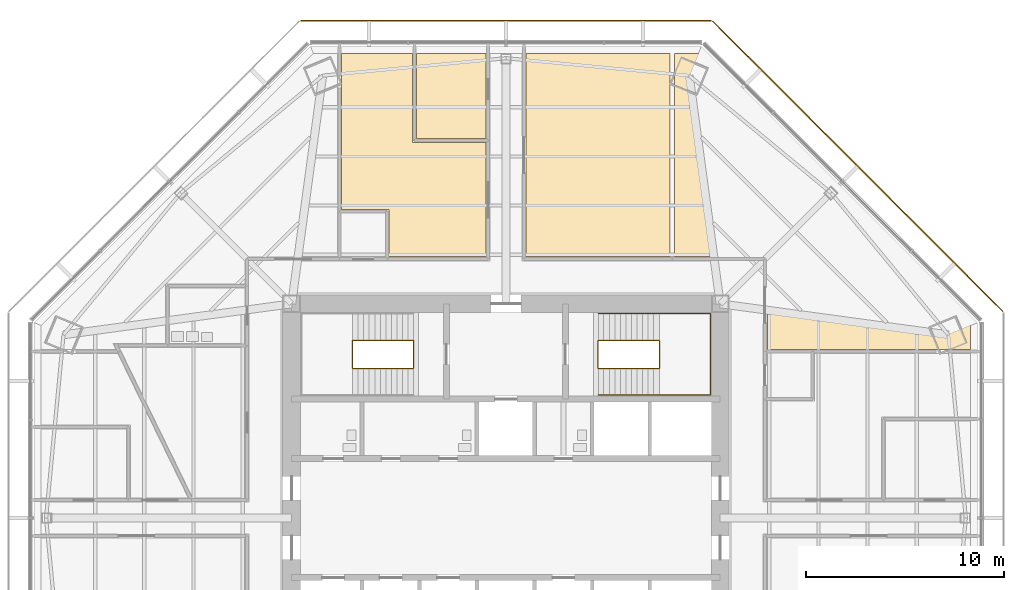
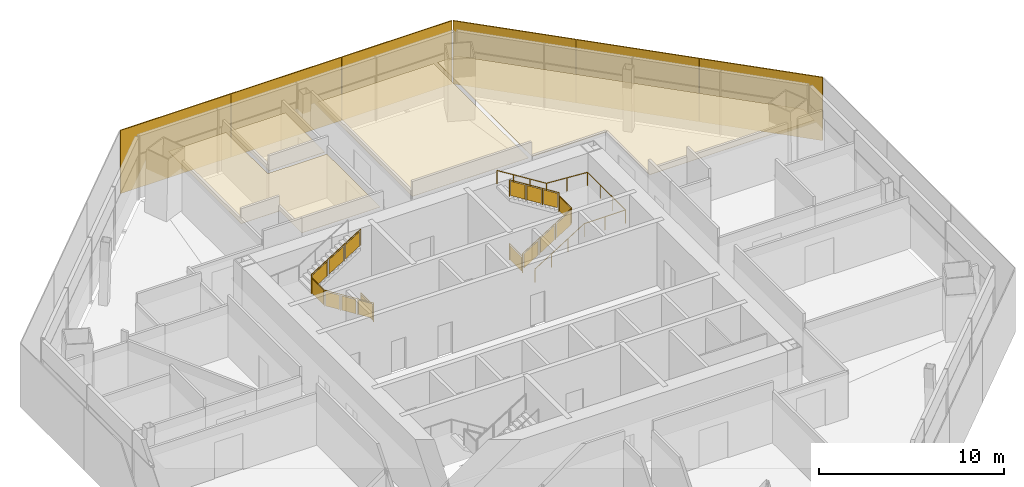
# One storey, part 13 of 14: 6 shading devices, 4 coverings, 3 railings.
"""IFC4 building model written with IfcOpenShell, lengths in metres."""

from ifc_helpers import new_model, si_unit, direction, frame, origin, origin_2d, place, context, subcontext, project, spatial, polyline, rectangle, circle, outline, extrude, source, transform, mapped, material, layer, layer_set, type_object, type_shapes, element, save


model = new_model("IFC4")

# Units and contexts
model_context = context("Model", 3, precision=1e-05, world=origin(), true_north=direction((0.0, 1.0)))
body_context = subcontext(model_context, "Body", "Model", "MODEL_VIEW")
ifc_project = project(units=[si_unit("LENGTHUNIT", "METRE"), si_unit("AREAUNIT", "SQUARE_METRE"), si_unit("VOLUMEUNIT", "CUBIC_METRE"), si_unit("PLANEANGLEUNIT", "RADIAN"), si_unit("MASSUNIT", "GRAM", prefix="KILO")], contexts=[model_context])

# Site, building, storey
site_placement = place(None, origin())
site = spatial("IfcSite", under=ifc_project, at=site_placement, CompositionType="ELEMENT")
building_placement = place(site_placement, origin())
building = spatial("IfcBuilding", under=site, at=building_placement, Name="Mashrafa Tower", CompositionType="ELEMENT")
storey_placement = place(building_placement, frame((0.0, 0.0, 142.800048828125)))
storey = spatial("IfcBuildingStorey", under=building, at=storey_placement, Name="L32", CompositionType="ELEMENT", Elevation=142.800048828125)

# Railings
ifc_material_1 = material(Name="Steel guard with glass infill", Category="steel")
railing_type_1 = type_object("IfcRailingType", Name="Stair guard 1100", PredefinedType="GUARDRAIL", material=ifc_material_1)
railing_1_placement = place(storey_placement, frame((-4.64990234375, 8.949951171875, 0.0)))
element("IfcRailing", 1, at=railing_1_placement, inside=storey, type_object=railing_type_1, Name="Stair S1 guard L32", PredefinedType="GUARDRAIL", context=body_context, shape_type="SweptSolid", body=[
    extrude(circle(Radius=0.02392578125, at=origin_2d()), frame((0.0, 0.0, 1.076171875), z_axis=(0.0, -1.0, 0.0), x_axis=(1.0, 0.0, 0.0)), (0.0, 0.0, 1.0), 1.39990234375),
    extrude(circle(Radius=0.02392578125, at=origin_2d()), frame((0.0, -1.39990234375, 1.076171875), z_axis=(0.0, 0.0, 1.0), x_axis=(1.0, 0.0, 0.0)), (0.0, 0.0, 1.0), 0.175048828125),
    extrude(circle(Radius=0.02392578125, at=origin_2d()), frame((0.0, -1.39990234375, 1.2509765625), z_axis=(-0.848028513186, 0.0, 0.529950602248), x_axis=(0.0, -1.0, 0.0)), (0.0, 0.0, 1.0), 3.632080078125),
    extrude(circle(Radius=0.02392578125, at=origin_2d()), frame((-3.080078125, -1.39990234375, 3.17578125), z_axis=(0.0, 1.0, 0.0), x_axis=(-1.0, 0.0, 0.0)), (0.0, 0.0, 1.0), 1.39990234375),
    extrude(circle(Radius=0.02392578125, at=origin_2d()), frame((-3.080078125, 0.0, 3.17578125), z_axis=(0.0, 0.0, 1.0), x_axis=(1.0, 0.0, 0.0)), (0.0, 0.0, 1.0), 0.175048828125),
    extrude(circle(Radius=0.02392578125, at=origin_2d()), frame((-3.080078125, 0.0, 3.35107421875), z_axis=(0.847998304005, 0.0, 0.529998940003), x_axis=(0.0, 1.0, 0.0)), (0.0, 0.0, 1.0), 3.632080078125),
    extrude(circle(Radius=0.02099609375, at=origin_2d()), origin(), (0.0, 0.0, 1.0), 1.052001953125),
    extrude(circle(Radius=0.02099609375, at=origin_2d()), frame((0.0, -1.39990234375, 0.0)), (0.0, 0.0, 1.0), 1.052001953125),
    extrude(circle(Radius=0.02099609375, at=origin_2d()), frame((0.0, -1.39990234375, 0.175048828125)), (0.0, 0.0, 1.0), 1.052001953125),
    extrude(circle(Radius=0.02099609375, at=origin_2d()), frame((-1.026611328125, -1.39990234375, 0.816650390625)), (0.0, 0.0, 1.0), 1.052001953125),
    extrude(circle(Radius=0.02099609375, at=origin_2d()), frame((-2.053466796875, -1.39990234375, 1.458251953125)), (0.0, 0.0, 1.0), 1.052001953125),
    extrude(circle(Radius=0.02099609375, at=origin_2d()), frame((-3.080078125, -1.39990234375, 2.099853515625)), (0.0, 0.0, 1.0), 1.052001953125),
    extrude(circle(Radius=0.02099609375, at=origin_2d()), frame((-3.080078125, 0.0, 2.099853515625)), (0.0, 0.0, 1.0), 1.052001953125),
    extrude(circle(Radius=0.02099609375, at=origin_2d()), frame((-3.080078125, 0.0, 2.27490234375)), (0.0, 0.0, 1.0), 1.052001953125),
    extrude(circle(Radius=0.02099609375, at=origin_2d()), frame((-2.053466796875, 0.0, 2.91650390625)), (0.0, 0.0, 1.0), 1.052001953125),
    extrude(circle(Radius=0.02099609375, at=origin_2d()), frame((-1.026611328125, 0.0, 3.558349609375)), (0.0, 0.0, 1.0), 1.052001953125),
    extrude(circle(Radius=0.02099609375, at=origin_2d()), frame((0.0, 0.0, 4.199951171875)), (0.0, 0.0, 1.0), 1.052001953125),
    extrude(outline(polyline([(0.071044921875, 0.050048828125), (1.328857421875, 0.050048828125), (1.328857421875, 1.001953125), (0.071044921875, 1.001953125), (0.071044921875, 0.050048828125)])), frame((-0.006103515625, 0.0, 0.0), z_axis=(-1.0, 0.0, 0.0), x_axis=(0.0, -1.0, 0.0)), (0.0, 0.0, 1.0), 0.011962890625),
    extrude(outline(polyline([(0.071044921875, 0.094482421875), (0.955810546875, 0.647216796875), (0.955810546875, 1.59912109375), (0.071044921875, 1.04638671875), (0.071044921875, 0.094482421875)])), frame((0.0, -1.393798828125, 0.175048828125), z_axis=(0.0, 1.0, 0.0), x_axis=(-1.0, 0.0, 0.0)), (0.0, 0.0, 1.0), 0.011962890625),
    extrude(outline(polyline([(1.09765625, 0.736083984375), (1.982421875, 1.288818359375), (1.982421875, 2.24072265625), (1.09765625, 1.68798828125), (1.09765625, 0.736083984375)])), frame((0.0, -1.393798828125, 0.175048828125), z_axis=(0.0, 1.0, 0.0), x_axis=(-1.0, 0.0, 0.0)), (0.0, 0.0, 1.0), 0.011962890625),
    extrude(outline(polyline([(2.124267578125, 1.377685546875), (3.009033203125, 1.930419921875), (3.009033203125, 2.88232421875), (2.124267578125, 2.32958984375), (2.124267578125, 1.377685546875)])), frame((0.0, -1.393798828125, 0.175048828125), z_axis=(0.0, 1.0, 0.0), x_axis=(-1.0, 0.0, 0.0)), (0.0, 0.0, 1.0), 0.011962890625),
    extrude(outline(polyline([(0.071044921875, 0.050048828125), (1.328857421875, 0.050048828125), (1.328857421875, 1.001953125), (0.071044921875, 1.001953125), (0.071044921875, 0.050048828125)])), frame((-3.073974609375, -1.39990234375, 2.099853515625), z_axis=(1.0, 0.0, 0.0), x_axis=(0.0, 1.0, 0.0)), (0.0, 0.0, 1.0), 0.011962890625),
    extrude(outline(polyline([(0.071044921875, 0.094482421875), (0.955810546875, 0.647216796875), (0.955810546875, 1.599365234375), (0.071044921875, 1.04638671875), (0.071044921875, 0.094482421875)])), frame((-3.080078125, -0.006103515625, 2.27490234375), z_axis=(0.0, -1.0, 0.0), x_axis=(1.0, 0.0, 0.0)), (0.0, 0.0, 1.0), 0.011962890625),
    extrude(outline(polyline([(1.09765625, 0.736083984375), (1.982421875, 1.2890625), (1.982421875, 2.240966796875), (1.09765625, 1.68798828125), (1.09765625, 0.736083984375)])), frame((-3.080078125, -0.006103515625, 2.27490234375), z_axis=(0.0, -1.0, 0.0), x_axis=(1.0, 0.0, 0.0)), (0.0, 0.0, 1.0), 0.011962890625),
    extrude(outline(polyline([(2.124267578125, 1.377685546875), (3.009033203125, 1.9306640625), (3.009033203125, 2.882568359375), (2.124267578125, 2.329833984375), (2.124267578125, 1.377685546875)])), frame((-3.080078125, -0.006103515625, 2.27490234375), z_axis=(0.0, -1.0, 0.0), x_axis=(1.0, 0.0, 0.0)), (0.0, 0.0, 1.0), 0.011962890625),
])
railing_2_placement = place(storey_placement, frame((4.64990234375, 8.949951171875, 0.0)))
element("IfcRailing", 2, at=railing_2_placement, inside=storey, type_object=railing_type_1, Name="Stair S2 guard L32", PredefinedType="GUARDRAIL", context=body_context, shape_type="SweptSolid", body=[
    extrude(circle(Radius=0.02392578125, at=origin_2d()), frame((0.0, 0.0, 1.076171875), z_axis=(0.0, -1.0, 0.0), x_axis=(1.0, 0.0, 0.0)), (0.0, 0.0, 1.0), 1.39990234375),
    extrude(circle(Radius=0.02392578125, at=origin_2d()), frame((0.0, -1.39990234375, 1.076171875), z_axis=(0.0, 0.0, 1.0), x_axis=(1.0, 0.0, 0.0)), (0.0, 0.0, 1.0), 0.175048828125),
    extrude(circle(Radius=0.02392578125, at=origin_2d()), frame((0.0, -1.39990234375, 1.2509765625), z_axis=(0.848028513186, 0.0, 0.529950602248), x_axis=(0.0, 1.0, 0.0)), (0.0, 0.0, 1.0), 3.632080078125),
    extrude(circle(Radius=0.02392578125, at=origin_2d()), frame((3.080078125, -1.39990234375, 3.17578125), z_axis=(0.0, 1.0, 0.0), x_axis=(-1.0, 0.0, 0.0)), (0.0, 0.0, 1.0), 1.39990234375),
    extrude(circle(Radius=0.02392578125, at=origin_2d()), frame((3.080078125, 0.0, 3.17578125), z_axis=(0.0, 0.0, 1.0), x_axis=(1.0, 0.0, 0.0)), (0.0, 0.0, 1.0), 0.175048828125),
    extrude(circle(Radius=0.02392578125, at=origin_2d()), frame((3.080078125, 0.0, 3.35107421875), z_axis=(-0.847998304005, 0.0, 0.529998940003), x_axis=(0.0, -1.0, 0.0)), (0.0, 0.0, 1.0), 3.632080078125),
    extrude(circle(Radius=0.02099609375, at=origin_2d()), origin(), (0.0, 0.0, 1.0), 1.052001953125),
    extrude(circle(Radius=0.02099609375, at=origin_2d()), frame((0.0, -1.39990234375, 0.0)), (0.0, 0.0, 1.0), 1.052001953125),
    extrude(circle(Radius=0.02099609375, at=origin_2d()), frame((0.0, -1.39990234375, 0.175048828125)), (0.0, 0.0, 1.0), 1.052001953125),
    extrude(circle(Radius=0.02099609375, at=origin_2d()), frame((1.026611328125, -1.39990234375, 0.816650390625)), (0.0, 0.0, 1.0), 1.052001953125),
    extrude(circle(Radius=0.02099609375, at=origin_2d()), frame((2.053466796875, -1.39990234375, 1.458251953125)), (0.0, 0.0, 1.0), 1.052001953125),
    extrude(circle(Radius=0.02099609375, at=origin_2d()), frame((3.080078125, -1.39990234375, 2.099853515625)), (0.0, 0.0, 1.0), 1.052001953125),
    extrude(circle(Radius=0.02099609375, at=origin_2d()), frame((3.080078125, 0.0, 2.099853515625)), (0.0, 0.0, 1.0), 1.052001953125),
    extrude(circle(Radius=0.02099609375, at=origin_2d()), frame((3.080078125, 0.0, 2.27490234375)), (0.0, 0.0, 1.0), 1.052001953125),
    extrude(circle(Radius=0.02099609375, at=origin_2d()), frame((2.053466796875, 0.0, 2.91650390625)), (0.0, 0.0, 1.0), 1.052001953125),
    extrude(circle(Radius=0.02099609375, at=origin_2d()), frame((1.026611328125, 0.0, 3.558349609375)), (0.0, 0.0, 1.0), 1.052001953125),
    extrude(circle(Radius=0.02099609375, at=origin_2d()), frame((0.0, 0.0, 4.199951171875)), (0.0, 0.0, 1.0), 1.052001953125),
    extrude(outline(polyline([(0.071044921875, 0.050048828125), (1.328857421875, 0.050048828125), (1.328857421875, 1.001953125), (0.071044921875, 1.001953125), (0.071044921875, 0.050048828125)])), frame((-0.006103515625, 0.0, 0.0), z_axis=(-1.0, 0.0, 0.0), x_axis=(0.0, -1.0, 0.0)), (0.0, 0.0, 1.0), 0.011962890625),
    extrude(outline(polyline([(0.071044921875, 0.094482421875), (0.955810546875, 0.647216796875), (0.955810546875, 1.59912109375), (0.071044921875, 1.04638671875), (0.071044921875, 0.094482421875)])), frame((0.0, -1.406005859375, 0.175048828125), z_axis=(0.0, -1.0, 0.0), x_axis=(1.0, 0.0, 0.0)), (0.0, 0.0, 1.0), 0.011962890625),
    extrude(outline(polyline([(1.09765625, 0.736083984375), (1.982421875, 1.288818359375), (1.982421875, 2.24072265625), (1.09765625, 1.68798828125), (1.09765625, 0.736083984375)])), frame((0.0, -1.406005859375, 0.175048828125), z_axis=(0.0, -1.0, 0.0), x_axis=(1.0, 0.0, 0.0)), (0.0, 0.0, 1.0), 0.011962890625),
    extrude(outline(polyline([(2.124267578125, 1.377685546875), (3.009033203125, 1.930419921875), (3.009033203125, 2.88232421875), (2.124267578125, 2.32958984375), (2.124267578125, 1.377685546875)])), frame((0.0, -1.406005859375, 0.175048828125), z_axis=(0.0, -1.0, 0.0), x_axis=(1.0, 0.0, 0.0)), (0.0, 0.0, 1.0), 0.011962890625),
    extrude(outline(polyline([(0.071044921875, 0.050048828125), (1.328857421875, 0.050048828125), (1.328857421875, 1.001953125), (0.071044921875, 1.001953125), (0.071044921875, 0.050048828125)])), frame((3.086181640625, -1.39990234375, 2.099853515625), z_axis=(1.0, 0.0, 0.0), x_axis=(0.0, 1.0, 0.0)), (0.0, 0.0, 1.0), 0.011962890625),
    extrude(outline(polyline([(0.071044921875, 0.094482421875), (0.955810546875, 0.647216796875), (0.955810546875, 1.599365234375), (0.071044921875, 1.04638671875), (0.071044921875, 0.094482421875)])), frame((3.080078125, 0.006103515625, 2.27490234375), z_axis=(0.0, 1.0, 0.0), x_axis=(-1.0, 0.0, 0.0)), (0.0, 0.0, 1.0), 0.011962890625),
    extrude(outline(polyline([(1.09765625, 0.736083984375), (1.982421875, 1.2890625), (1.982421875, 2.240966796875), (1.09765625, 1.68798828125), (1.09765625, 0.736083984375)])), frame((3.080078125, 0.006103515625, 2.27490234375), z_axis=(0.0, 1.0, 0.0), x_axis=(-1.0, 0.0, 0.0)), (0.0, 0.0, 1.0), 0.011962890625),
    extrude(outline(polyline([(2.124267578125, 1.377685546875), (3.009033203125, 1.9306640625), (3.009033203125, 2.882568359375), (2.124267578125, 2.329833984375), (2.124267578125, 1.377685546875)])), frame((3.080078125, 0.006103515625, 2.27490234375), z_axis=(0.0, 1.0, 0.0), x_axis=(-1.0, 0.0, 0.0)), (0.0, 0.0, 1.0), 0.011962890625),
])
ifc_material_2 = material(Name="Steel", Category="steel")
railing_type_2 = type_object("IfcRailingType", Name="Stair handrail 900", PredefinedType="HANDRAIL", material=ifc_material_2)
railing_3_placement = place(storey_placement, frame((4.64990234375, 6.199951171875, 0.175048828125)))
element("IfcRailing", 3, at=railing_3_placement, inside=storey, type_object=railing_type_2, Name="Stair S2 handrail L32", PredefinedType="HANDRAIL", context=body_context, shape_type="SweptSolid", body=[
    extrude(circle(Radius=0.02392578125, at=origin_2d()), frame((0.0, 0.0, 0.8759765625), z_axis=(0.848028513186, 0.0, 0.529950602248), x_axis=(0.0, 1.0, 0.0)), (0.0, 0.0, 1.0), 3.632080078125),
    extrude(circle(Radius=0.02392578125, at=origin_2d()), frame((3.080078125, 0.0, 2.80078125), z_axis=(1.0, 0.0, 0.0), x_axis=(0.0, 1.0, 0.0)), (0.0, 0.0, 1.0), 2.570068359375),
    extrude(circle(Radius=0.02392578125, at=origin_2d()), frame((5.650146484375, 0.0, 2.80078125), z_axis=(0.0, 1.0, 0.0), x_axis=(-1.0, 0.0, 0.0)), (0.0, 0.0, 1.0), 4.10009765625),
    extrude(circle(Radius=0.02392578125, at=origin_2d()), frame((5.650146484375, 4.10009765625, 2.80078125), z_axis=(-0.997688514158, 0.0, 0.067953136188), x_axis=(0.0, -1.0, 0.0)), (0.0, 0.0, 1.0), 2.575927734375),
    extrude(circle(Radius=0.02392578125, at=origin_2d()), frame((3.080078125, 4.10009765625, 2.9755859375), z_axis=(-0.847998304005, 0.0, 0.529998940003), x_axis=(0.0, -1.0, 0.0)), (0.0, 0.0, 1.0), 3.632080078125),
    extrude(circle(Radius=0.02099609375, at=origin_2d()), origin(), (0.0, 0.0, 1.0), 0.851806640625),
    extrude(circle(Radius=0.02099609375, at=origin_2d()), frame((1.026611328125, 0.0, 0.6416015625)), (0.0, 0.0, 1.0), 0.851806640625),
    extrude(circle(Radius=0.02099609375, at=origin_2d()), frame((2.053466796875, 0.0, 1.283203125)), (0.0, 0.0, 1.0), 0.851806640625),
    extrude(circle(Radius=0.02099609375, at=origin_2d()), frame((3.080078125, 0.0, 1.9248046875)), (0.0, 0.0, 1.0), 0.851806640625),
    extrude(circle(Radius=0.02099609375, at=origin_2d()), frame((4.365234375, 0.0, 1.9248046875)), (0.0, 0.0, 1.0), 0.851806640625),
    extrude(circle(Radius=0.02099609375, at=origin_2d()), frame((5.650146484375, 0.0, 1.9248046875)), (0.0, 0.0, 1.0), 0.851806640625),
    extrude(circle(Radius=0.02099609375, at=origin_2d()), frame((5.650146484375, 1.36669921875, 1.9248046875)), (0.0, 0.0, 1.0), 0.851806640625),
    extrude(circle(Radius=0.02099609375, at=origin_2d()), frame((5.650146484375, 2.7333984375, 1.9248046875)), (0.0, 0.0, 1.0), 0.851806640625),
    extrude(circle(Radius=0.02099609375, at=origin_2d()), frame((5.650146484375, 4.10009765625, 1.9248046875)), (0.0, 0.0, 1.0), 0.851806640625),
    extrude(circle(Radius=0.02099609375, at=origin_2d()), frame((4.365234375, 4.10009765625, 2.01220703125)), (0.0, 0.0, 1.0), 0.851806640625),
    extrude(circle(Radius=0.02099609375, at=origin_2d()), frame((3.080078125, 4.10009765625, 2.099853515625)), (0.0, 0.0, 1.0), 0.851806640625),
    extrude(circle(Radius=0.02099609375, at=origin_2d()), frame((2.053466796875, 4.10009765625, 2.741455078125)), (0.0, 0.0, 1.0), 0.851806640625),
    extrude(circle(Radius=0.02099609375, at=origin_2d()), frame((1.026611328125, 4.10009765625, 3.38330078125)), (0.0, 0.0, 1.0), 0.851806640625),
    extrude(circle(Radius=0.02099609375, at=origin_2d()), frame((0.0, 4.10009765625, 4.02490234375)), (0.0, 0.0, 1.0), 0.851806640625),
])

# Coverings
ifc_material_3 = material(Name="Mineral fibre tile on suspension grid")
ifc_layer_1 = layer(ifc_material_3, 0.014892578125)
ifc_layer_set_1 = layer_set([ifc_layer_1], Name="Suspended ceiling mineral tile 15")
covering_type = type_object("IfcCoveringType", Name="Suspended ceiling mineral tile 15", PredefinedType="CEILING", material=ifc_layer_set_1)
covering_1_placement = place(storey_placement, frame((0.0, 0.0, 2.89990234375)))
element("IfcCovering", 4, at=covering_1_placement, inside=storey, type_object=covering_type, Name="Ceiling Meeting Room 32-N", PredefinedType="CEILING", context=body_context, shape_type="SweptSolid", body=[
    extrude(outline(polyline([(-4.5, 23.425048828125), (-1.0, 23.425048828125), (-1.0, 19.125), (-4.5, 19.125), (-4.5, 23.425048828125)])), origin(), (0.0, 0.0, 1.0), 0.01513671875),
])
covering_2_placement = place(storey_placement, frame((0.0, 0.0, 2.89990234375)))
element("IfcCovering", 5, at=covering_2_placement, inside=storey, type_object=covering_type, Name="Ceiling Office Suite 32-NE12", PredefinedType="CEILING", context=body_context, shape_type="SweptSolid", body=[
    extrude(outline(polyline([(1.0, 23.425048828125), (8.260009765625, 23.425048828125), (8.260009765625, 13.14990234375), (1.0, 13.14990234375), (1.0, 23.425048828125)])), origin(), (0.0, 0.0, 1.0), 0.01513671875),
])
covering_3_placement = place(storey_placement, frame((0.0, 0.0, 2.89990234375)))
element("IfcCovering", 6, at=covering_3_placement, inside=storey, type_object=covering_type, Name="Ceiling Office Suite 32-NE22", PredefinedType="CEILING", context=body_context, shape_type="SweptSolid", body=[
    extrude(outline(polyline([(8.5, 13.14990234375), (8.5, 23.425048828125), (9.702880859375, 23.425048828125), (23.425048828125, 9.702880859375), (23.425048828125, 8.5), (13.14990234375, 8.5), (13.14990234375, 13.14990234375), (8.5, 13.14990234375)])), origin(), (0.0, 0.0, 1.0), 0.01513671875),
])
covering_4_placement = place(storey_placement, frame((0.0, 0.0, 2.89990234375)))
element("IfcCovering", 7, at=covering_4_placement, inside=storey, type_object=covering_type, Name="Ceiling Office Suite 32-NW12", PredefinedType="CEILING", context=body_context, shape_type="SweptSolid", body=[
    extrude(outline(polyline([(-8.300048828125, 15.550048828125), (-8.300048828125, 23.425048828125), (-4.699951171875, 23.425048828125), (-4.699951171875, 18.925048828125), (-1.0, 18.925048828125), (-1.0, 13.14990234375), (-5.89990234375, 13.14990234375), (-5.89990234375, 15.550048828125), (-8.300048828125, 15.550048828125)])), origin(), (0.0, 0.0, 1.0), 0.01513671875),
])

# Shading devices
ifc_material_4 = material(Name="Perforated aluminium plate, eight-point star pattern", Category="aluminium")
ifc_layer_2 = layer(ifc_material_4, 0.06005859375)
ifc_layer_set_2 = layer_set([ifc_layer_2], Name="Mashrabiya screen panel office zone 2, 40 percent open")
shading_device_type = type_object("IfcShadingDeviceType", Name="Mashrabiya screen panel office zone 2, 40 percent open", PredefinedType="SHUTTER", material=ifc_layer_set_2)
shared_shape = source(origin(), body_context, "Body", "SweptSolid", [
    extrude(rectangle(XDim=6.889404296875, YDim=0.06005859375, at=origin_2d()), origin(), (0.0, 0.0, 1.0), 4.179931640625),
])
type_shapes(shading_device_type, [shared_shape])
for number, where, z_axis, x_axis, name in (
    (8, (22.616455078125, 12.84521484375, -0.14990234375), (0.0, 0.0, 1.0), (-0.707106781187, 0.707106781187, 0.0), "Mashrabiya screen L32 north-east 1"),
    (9, (17.730712890625, 17.730712890625, -0.14990234375), (0.0, 0.0, 1.0), (-0.707106781187, 0.707106781187, 0.0), "Mashrabiya screen L32 north-east 2"),
    (10, (12.84521484375, 22.616455078125, -0.14990234375), (0.0, 0.0, 1.0), (-0.707106781187, 0.707106781187, 0.0), "Mashrabiya screen L32 north-east 3"),
    (11, (6.909423828125, 25.0751953125, -0.14990234375), (0.0, 0.0, 1.0), (-1.0, 0.0, 0.0), "Mashrabiya screen L32 north 1"),
    (12, (0.0, 25.0751953125, -0.14990234375), (0.0, 0.0, 1.0), (-1.0, 0.0, 0.0), "Mashrabiya screen L32 north 2"),
    (13, (-6.909423828125, 25.0751953125, -0.14990234375), (0.0, 0.0, 1.0), (-1.0, 0.0, 0.0), "Mashrabiya screen L32 north 3"),
):
    element("IfcShadingDevice", number, at=place(storey_placement, frame(where, z_axis=z_axis, x_axis=x_axis)), inside=storey, type_object=shading_device_type, Name=name, PredefinedType="SHUTTER", context=body_context, shape_type="MappedRepresentation", body=[
        mapped(shared_shape, transform((0.0, 0.0, 0.0))),
    ])

save(model, "model.ifc")
